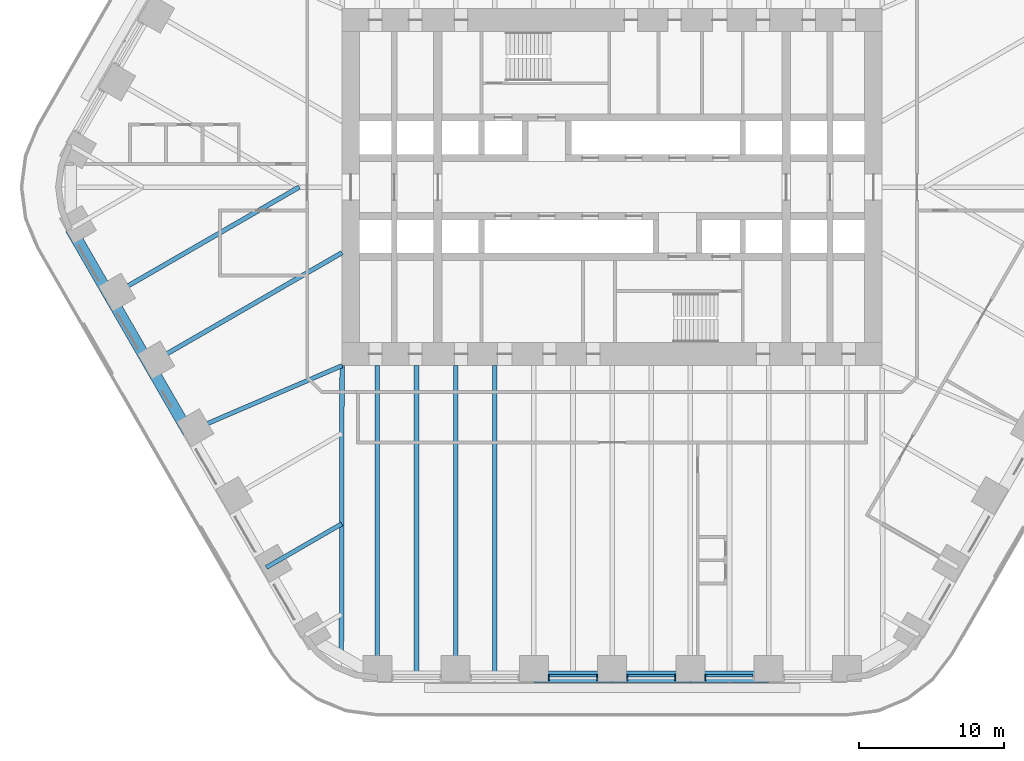
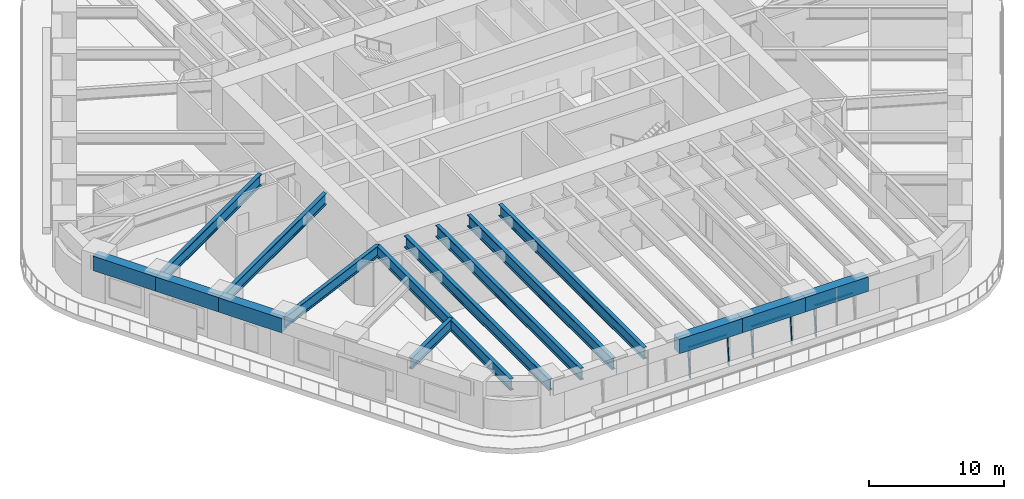
# One storey, part 3 of 23: 15 beams, 8 members, 3 elements without a shape of their own.
"""IFC4 building model written with IfcOpenShell, lengths in metres."""

from ifc_helpers import new_model, si_unit, direction, frame, origin, origin_2d, place, context, subcontext, project, spatial, rectangle, i_section, extrude, material, material_profile, profile_set, type_object, element, aggregate, save


model = new_model("IFC4")

# Units and contexts
model_context = context("Model", 3, precision=1e-05, world=origin(), true_north=direction((0.0, 1.0)))
body_context = subcontext(model_context, "Body", "Model", "MODEL_VIEW")
ifc_project = project(units=[si_unit("LENGTHUNIT", "METRE"), si_unit("AREAUNIT", "SQUARE_METRE"), si_unit("VOLUMEUNIT", "CUBIC_METRE"), si_unit("PLANEANGLEUNIT", "RADIAN"), si_unit("MASSUNIT", "GRAM", prefix="KILO")], contexts=[model_context])

# Site, building, storey
site_placement = place(None, origin())
site = spatial("IfcSite", under=ifc_project, at=site_placement, CompositionType="ELEMENT")
building_placement = place(site_placement, origin())
building = spatial("IfcBuilding", under=site, at=building_placement, Name="Tarfa Lantern Tower", CompositionType="ELEMENT")
storey_placement = place(building_placement, frame((0.0, 0.0, 52.89990234375)))
storey = spatial("IfcBuildingStorey", under=building, at=storey_placement, Name="L11", CompositionType="ELEMENT", Elevation=52.89990234375)

# Curtain wall, members
ifc_material_1 = material(Name="Aluminium framed curtain wall", Category="aluminium")
curtain_wall_type = type_object("IfcCurtainWallType", Name="CW1 CANTED GLAZING LOW ZONE 2700", PredefinedType="USERDEFINED", material=ifc_material_1)
curtain_wall_1_placement = place(storey_placement, origin())
curtain_wall_1 = element("IfcCurtainWall", 1, at=curtain_wall_1_placement, inside=storey, type_object=curtain_wall_type, Name="CW1 S L11", ObjectType="CURTAIN WALL", PredefinedType="USERDEFINED")
ifc_material_2 = material(Name="Aluminium mullion", Category="aluminium")
ifc_material_profile_1 = material_profile(ifc_material_2, rectangle(XDim=0.06494140625, YDim=0.199951171875, at=origin_2d()), Name="AL MULLION 65x200")
ifc_profile_set_1 = profile_set([ifc_material_profile_1], Name="Aluminium mullion")
member_type_1 = type_object("IfcMemberType", Name="CWM1 MULLION 65x200", PredefinedType="MULLION", material=ifc_profile_set_1)
member_1_placement = place(storey_placement, frame((-4.356201171875, -33.89990234375, 0.0), z_axis=(0.0, 0.092191598296, 0.995741286281), x_axis=(-1.0, 0.0, 0.0)))
member_1 = element("IfcMember", 2, at=member_1_placement, type_object=member_type_1, Name="CW1 mullion 1", PredefinedType="MULLION", context=body_context, shape_type="SweptSolid", body=[
    extrude(rectangle(XDim=0.06494140625, YDim=0.199951171875, at=origin_2d()), origin(), (0.0, 0.0, 1.0), 2.711669921875),
])
member_2_placement = place(storey_placement, frame((-1.032470703125, -33.89990234375, 0.0), z_axis=(0.0, 0.092191598296, 0.995741286281), x_axis=(-1.0, 0.0, 0.0)))
member_2 = element("IfcMember", 3, at=member_2_placement, type_object=member_type_1, Name="CW1 mullion 2", PredefinedType="MULLION", context=body_context, shape_type="SweptSolid", body=[
    extrude(rectangle(XDim=0.06494140625, YDim=0.199951171875, at=origin_2d()), origin(), (0.0, 0.0, 1.0), 2.711669921875),
])

curtain_wall_2_placement = place(storey_placement, origin())
curtain_wall_2 = element("IfcCurtainWall", 4, at=curtain_wall_2_placement, inside=storey, type_object=curtain_wall_type, Name="CW1 S L11", ObjectType="CURTAIN WALL", PredefinedType="USERDEFINED")
member_3_placement = place(storey_placement, frame((1.032470703125, -33.89990234375, 0.0), z_axis=(0.0, 0.092191598296, 0.995741286281), x_axis=(-1.0, 0.0, 0.0)))
member_3 = element("IfcMember", 5, at=member_3_placement, type_object=member_type_1, Name="CW1 mullion 1", PredefinedType="MULLION", context=body_context, shape_type="SweptSolid", body=[
    extrude(rectangle(XDim=0.06494140625, YDim=0.199951171875, at=origin_2d()), origin(), (0.0, 0.0, 1.0), 2.711669921875),
])
member_4_placement = place(storey_placement, frame((4.356201171875, -33.89990234375, 0.0), z_axis=(0.0, 0.092191598296, 0.995741286281), x_axis=(-1.0, 0.0, 0.0)))
member_4 = element("IfcMember", 6, at=member_4_placement, type_object=member_type_1, Name="CW1 mullion 2", PredefinedType="MULLION", context=body_context, shape_type="SweptSolid", body=[
    extrude(rectangle(XDim=0.06494140625, YDim=0.199951171875, at=origin_2d()), origin(), (0.0, 0.0, 1.0), 2.711669921875),
])

# Curtain wall, member
curtain_wall_3_placement = place(storey_placement, origin())
curtain_wall_3 = element("IfcCurtainWall", 7, at=curtain_wall_3_placement, inside=storey, type_object=curtain_wall_type, Name="CW1 S L11", ObjectType="CURTAIN WALL", PredefinedType="USERDEFINED")
member_5_placement = place(storey_placement, frame((6.421142578125, -33.89990234375, 0.0), z_axis=(0.0, 0.092191598296, 0.995741286281), x_axis=(-1.0, 0.0, 0.0)))
member_5 = element("IfcMember", 8, at=member_5_placement, type_object=member_type_1, Name="CW1 mullion 1", PredefinedType="MULLION", context=body_context, shape_type="SweptSolid", body=[
    extrude(rectangle(XDim=0.06494140625, YDim=0.199951171875, at=origin_2d()), origin(), (0.0, 0.0, 1.0), 2.711669921875),
])

# Member
ifc_material_3 = material(Name="Aluminium transom", Category="aluminium")
ifc_material_profile_2 = material_profile(ifc_material_3, rectangle(XDim=0.14990234375, YDim=0.06494140625, at=origin_2d()), Name="AL TRANSOM 150x65")
ifc_profile_set_2 = profile_set([ifc_material_profile_2], Name="Aluminium transom")
member_type_2 = type_object("IfcMemberType", Name="CWT1 TRANSOM 150x65", PredefinedType="USERDEFINED", material=ifc_profile_set_2)
member_6_placement = place(storey_placement, frame((-4.323486328125, -33.653076171875, 2.66748046875), z_axis=(1.0, 0.0, 0.0), x_axis=(0.0, 1.0, 0.0)))
member_6 = element("IfcMember", 9, at=member_6_placement, type_object=member_type_2, Name="CW1 transom 1.2", ObjectType="TRANSOM", PredefinedType="USERDEFINED", context=body_context, shape_type="SweptSolid", body=[
    extrude(rectangle(XDim=0.14990234375, YDim=0.06494140625, at=origin_2d()), origin(), (0.0, 0.0, 1.0), 3.258544921875),
])

aggregate(curtain_wall_1, [member_1, member_2, member_6])

member_7_placement = place(storey_placement, frame((1.06494140625, -33.653076171875, 2.66748046875), z_axis=(1.0, 0.0, 0.0), x_axis=(0.0, 1.0, 0.0)))
member_7 = element("IfcMember", 10, at=member_7_placement, type_object=member_type_2, Name="CW1 transom 1.2", ObjectType="TRANSOM", PredefinedType="USERDEFINED", context=body_context, shape_type="SweptSolid", body=[
    extrude(rectangle(XDim=0.14990234375, YDim=0.06494140625, at=origin_2d()), origin(), (0.0, 0.0, 1.0), 3.258544921875),
])

aggregate(curtain_wall_2, [member_3, member_4, member_7])

member_8_placement = place(storey_placement, frame((6.45361328125, -33.653076171875, 2.66748046875), z_axis=(1.0, 0.0, 0.0), x_axis=(0.0, 1.0, 0.0)))
member_8 = element("IfcMember", 11, at=member_8_placement, type_object=member_type_2, Name="CW1 transom 1.2", ObjectType="TRANSOM", PredefinedType="USERDEFINED", context=body_context, shape_type="SweptSolid", body=[
    extrude(rectangle(XDim=0.14990234375, YDim=0.06494140625, at=origin_2d()), origin(), (0.0, 0.0, 1.0), 3.258544921875),
])

aggregate(curtain_wall_3, [member_5, member_8])

# Beams
ifc_material_4 = material(Name="Concrete C80/95", Category="concrete")
ifc_material_profile_3 = material_profile(ifc_material_4, rectangle(XDim=0.800048828125, YDim=1.300048828125, at=origin_2d()), Name="RC 800x1300")
ifc_profile_set_3 = profile_set([ifc_material_profile_3], Name="Concrete C80/95")
beam_type_1 = type_object("IfcBeamType", Name="EB1 RC 800x1300", PredefinedType="SPANDREL", material=ifc_profile_set_3)
beam_1_placement = place(storey_placement, frame((-37.285400390625, -2.860107421875, 3.35009765625), z_axis=(0.500017906299, -0.866015065331, 0.0), x_axis=(0.866015065331, 0.500017906299, 0.0)))
element("IfcBeam", 12, at=beam_1_placement, inside=storey, type_object=beam_type_1, Name="Edge beam SW0", PredefinedType="SPANDREL", context=body_context, shape_type="SweptSolid", body=[
    extrude(rectangle(XDim=0.800048828125, YDim=1.300048828125, at=origin_2d()), origin(), (0.0, 0.0, 1.0), 5.388427734375),
])
for number, where, z_axis, x_axis, name in (
    (13, (-34.591064453125, -7.526611328125, 3.35009765625), (0.499998287579, -0.866026392449, 0.0), (0.866026392449, 0.499998287579, 0.0), "Edge beam SW1"),
    (14, (-31.896728515625, -12.193359375, 3.35009765625), (0.499998287579, -0.866026392449, 0.0), (0.866026392449, 0.499998287579, 0.0), "Edge beam SW2"),
    (15, (-5.388671875, -33.719970703125, 3.35009765625), (1.0, 0.0, 0.0), (0.0, 1.0, 0.0), "Edge beam S2"),
    (16, (0.0, -33.719970703125, 3.35009765625), (1.0, 0.0, 0.0), (0.0, 1.0, 0.0), "Edge beam S3"),
):
    element("IfcBeam", number, at=place(storey_placement, frame(where, z_axis=z_axis, x_axis=x_axis)), inside=storey, type_object=beam_type_1, Name=name, PredefinedType="SPANDREL", context=body_context, shape_type="SweptSolid", body=[
        extrude(rectangle(XDim=0.800048828125, YDim=1.300048828125, at=origin_2d()), origin(), (0.0, 0.0, 1.0), 5.388671875),
    ])
beam_2_placement = place(storey_placement, frame((5.388671875, -33.719970703125, 3.35009765625), z_axis=(1.0, 0.0, 0.0), x_axis=(0.0, 1.0, 0.0)))
element("IfcBeam", 17, at=beam_2_placement, inside=storey, type_object=beam_type_1, Name="Edge beam S4", PredefinedType="SPANDREL", context=body_context, shape_type="SweptSolid", body=[
    extrude(rectangle(XDim=0.800048828125, YDim=1.300048828125, at=origin_2d()), origin(), (0.0, 0.0, 1.0), 5.388427734375),
])
ifc_material_5 = material(Name="Steel S460M", Category="steel")
ifc_material_profile_4 = material_profile(ifc_material_5, i_section(OverallWidth=0.302001953125, OverallDepth=1.008056640625, WebThickness=0.02099609375, FlangeThickness=0.0400390625, FilletRadius=0.030029296875, at=origin_2d()), Name="UB1016x305x349")
ifc_profile_set_4 = profile_set([ifc_material_profile_4], Name="Steel S460M")
beam_type_2 = type_object("IfcBeamType", Name="UB1016x305x349", PredefinedType="BEAM", material=ifc_profile_set_4)
beam_3_placement = place(storey_placement, frame((-29.202392578125, -16.860107421875, 3.49609375), z_axis=(0.918635483867, 0.395106122175, 0.0), x_axis=(-0.395106122175, 0.918635483867, 0.0)))
element("IfcBeam", 18, at=beam_3_placement, inside=storey, type_object=beam_type_2, Name="Floor beam SW3", PredefinedType="BEAM", context=body_context, shape_type="SweptSolid", body=[
    extrude(i_section(OverallWidth=0.302001953125, OverallDepth=1.008056640625, WebThickness=0.02099609375, FlangeThickness=0.0400390625, FilletRadius=0.030029296875, at=origin_2d()), origin(), (0.0, 0.0, 1.0), 11.541259765625),
])
beam_4_placement = place(storey_placement, frame((-23.813720703125, -26.193359375, 3.49609375), z_axis=(0.866015997389, 0.500016292001, 0.0), x_axis=(-0.500016292001, 0.866015997389, 0.0)))
element("IfcBeam", 19, at=beam_4_placement, inside=storey, type_object=beam_type_2, Name="Floor beam SW5", PredefinedType="BEAM", context=body_context, shape_type="SweptSolid", body=[
    extrude(i_section(OverallWidth=0.302001953125, OverallDepth=1.008056640625, WebThickness=0.02099609375, FlangeThickness=0.0400390625, FilletRadius=0.030029296875, at=origin_2d()), origin(), (0.0, 0.0, 1.0), 5.993408203125),
])
ifc_material_profile_5 = material_profile(ifc_material_5, i_section(OverallWidth=0.314208984375, OverallDepth=1.055908203125, WebThickness=0.035888671875, FlangeThickness=0.06396484375, FilletRadius=0.030029296875, at=origin_2d()), Name="UB1016x305x584")
ifc_profile_set_5 = profile_set([ifc_material_profile_5], Name="Steel S460M")
beam_type_3 = type_object("IfcBeamType", Name="UB1016x305x584", PredefinedType="BEAM", material=ifc_profile_set_5)
beam_5_placement = place(storey_placement, frame((-18.60009765625, -12.300048828125, 3.47216796875), z_axis=(-0.00212508222, -0.99999774201, 0.0), x_axis=(0.99999774201, -0.00212508222, 0.0)))
element("IfcBeam", 20, at=beam_5_placement, inside=storey, type_object=beam_type_3, Name="Hip girder SW", PredefinedType="BEAM", context=body_context, shape_type="SweptSolid", body=[
    extrude(i_section(OverallWidth=0.314208984375, OverallDepth=1.055908203125, WebThickness=0.035888671875, FlangeThickness=0.06396484375, FilletRadius=0.030029296875, at=origin_2d()), origin(), (0.0, 0.0, 1.0), 19.989990234375),
])
beam_6_placement = place(storey_placement, frame((-34.591064453125, -7.526611328125, 3.47216796875), z_axis=(0.86602785945, 0.499995746638, 0.0), x_axis=(-0.499995746638, 0.86602785945, 0.0)))
element("IfcBeam", 21, at=beam_6_placement, inside=storey, type_object=beam_type_3, Name="Floor beam SW1", PredefinedType="BEAM", context=body_context, shape_type="SweptSolid", body=[
    extrude(i_section(OverallWidth=0.314208984375, OverallDepth=1.055908203125, WebThickness=0.035888671875, FlangeThickness=0.06396484375, FilletRadius=0.030029296875, at=origin_2d()), origin(), (0.0, 0.0, 1.0), 15.053466796875),
])
beam_7_placement = place(storey_placement, frame((-31.896728515625, -12.193359375, 3.47216796875), z_axis=(0.866026971665, 0.499997284341, 0.0), x_axis=(-0.499997284341, 0.866026971665, 0.0)))
element("IfcBeam", 22, at=beam_7_placement, inside=storey, type_object=beam_type_3, Name="Floor beam SW2", PredefinedType="BEAM", context=body_context, shape_type="SweptSolid", body=[
    extrude(i_section(OverallWidth=0.314208984375, OverallDepth=1.055908203125, WebThickness=0.035888671875, FlangeThickness=0.06396484375, FilletRadius=0.030029296875, at=origin_2d()), origin(), (0.0, 0.0, 1.0), 15.353515625),
])
for number, where, z_axis, x_axis, name in (
    (23, (-16.165771484375, -33.719970703125, 3.47216796875), (0.0, 1.0, 0.0), (-1.0, 0.0, 0.0), "Floor beam S0"),
    (24, (-10.777099609375, -33.719970703125, 3.47216796875), (0.0, 1.0, 0.0), (-1.0, 0.0, 0.0), "Floor beam S1"),
    (25, (-13.471435546875, -33.719970703125, 3.47216796875), (0.0, 1.0, 0.0), (-1.0, 0.0, 0.0), "Floor beam S0M"),
    (26, (-8.0830078125, -33.719970703125, 3.47216796875), (0.0, 1.0, 0.0), (-1.0, 0.0, 0.0), "Floor beam S1M"),
):
    element("IfcBeam", number, at=place(storey_placement, frame(where, z_axis=z_axis, x_axis=x_axis)), inside=storey, type_object=beam_type_3, Name=name, PredefinedType="BEAM", context=body_context, shape_type="SweptSolid", body=[
        extrude(i_section(OverallWidth=0.314208984375, OverallDepth=1.055908203125, WebThickness=0.035888671875, FlangeThickness=0.06396484375, FilletRadius=0.030029296875, at=origin_2d()), origin(), (0.0, 0.0, 1.0), 21.419921875),
    ])

save(model, "model.ifc")
